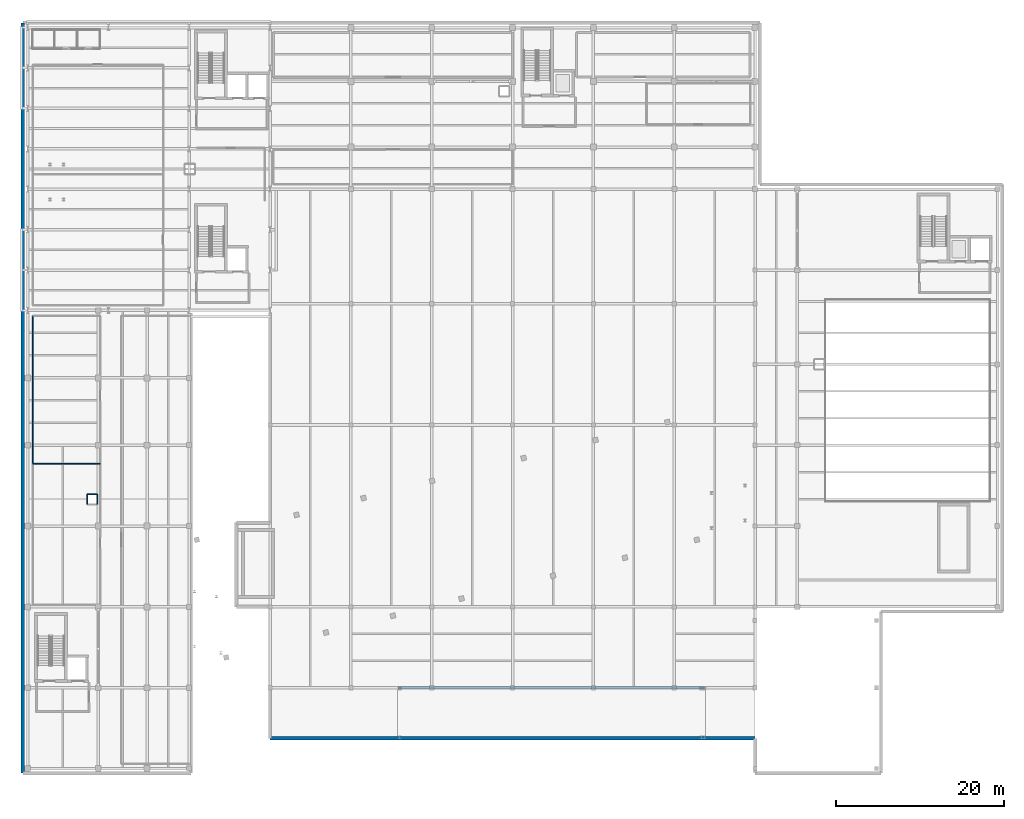
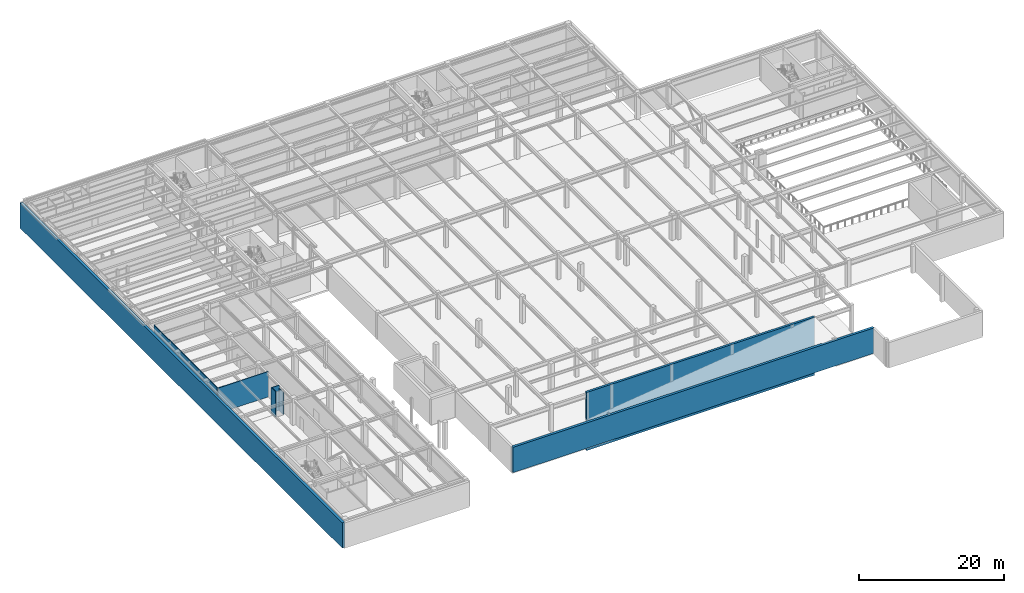
# One storey, part 19 of 32: 8 walls.
"""IFC4 building model written with IfcOpenShell, lengths in metres."""

from ifc_helpers import new_model, si_unit, direction, frame, frame_2d, origin, place, context, subcontext, project, spatial, rectangle, extrude, material, layer, layer_set, type_object, element, save


model = new_model("IFC4")

# Units and contexts
model_context = context("Model", 3, precision=1e-05, world=origin(), true_north=direction((0.0, 1.0)))
body_context = subcontext(model_context, "Body", "Model", "MODEL_VIEW")
ifc_project = project(units=[si_unit("LENGTHUNIT", "METRE"), si_unit("AREAUNIT", "SQUARE_METRE"), si_unit("VOLUMEUNIT", "CUBIC_METRE"), si_unit("PLANEANGLEUNIT", "RADIAN"), si_unit("MASSUNIT", "GRAM", prefix="KILO")], contexts=[model_context])

# Site, building, storey
site_placement = place(None, origin())
site = spatial("IfcSite", under=ifc_project, at=site_placement, CompositionType="ELEMENT")
building_placement = place(site_placement, origin())
building = spatial("IfcBuilding", under=site, at=building_placement, Name="Nordkorset Police Headquarters", CompositionType="ELEMENT")
storey_placement = place(building_placement, frame((0.0, 0.0, -4.550048828125)))
storey = spatial("IfcBuildingStorey", under=building, at=storey_placement, Name="B01", CompositionType="ELEMENT", Elevation=-4.550048828125)

# Walls
ifc_material_1 = material(Name="Concrete C35/45", Category="concrete")
ifc_layer_1 = layer(ifc_material_1, 0.35009765625, Name="Concrete C35/45")
ifc_layer_set_1 = layer_set([ifc_layer_1], Name="Concrete C35/45")
wall_type_1 = type_object("IfcWallType", Name="Wall_CoreShear_350", PredefinedType="SHEAR", material=ifc_layer_set_1)
wall_1_placement = place(storey_placement, frame((44.0, 38.39990234375, -5.25), z_axis=(0.0, 0.0, 1.0), x_axis=(1.0, 0.0, 0.0)))
element("IfcWall", 1, at=wall_1_placement, inside=storey, type_object=wall_type_1, Name="Ramp Flank Shear Wall N", PredefinedType="SHEAR", context=body_context, shape_type="SweptSolid", body=[
    extrude(rectangle(XDim=36.39990234375, YDim=0.35009765625, at=frame_2d((18.199951171875, 0.0))), origin(), (0.0, 0.0, 1.0), 9.800048828125),
])
ifc_material_2 = material(Name="Gypsum board", Category="gypsum")
ifc_layer_2 = layer(ifc_material_2, 0.1201171875, Name="Gypsum board")
ifc_layer_set_2 = layer_set([ifc_layer_2], Name="Gypsum board")
wall_type_2 = type_object("IfcWallType", Name="Wall_Part_120", PredefinedType="PARTITIONING", material=ifc_layer_set_2)
wall_2_placement = place(storey_placement, frame((8.639892578125, 65.0, 0.0), z_axis=(0.0, 0.0, 1.0), x_axis=(-1.0, 0.0, 0.0)))
element("IfcWall", 2, at=wall_2_placement, inside=storey, type_object=wall_type_2, Name="Interior Partition Wall Forensic Bulk Evidence Reception Lab", PredefinedType="PARTITIONING", context=body_context, shape_type="SweptSolid", body=[
    extrude(rectangle(XDim=8.039794921875, YDim=0.1201171875, at=frame_2d((4.02001953125, 0.0))), origin(), (0.0, 0.0, 1.0), 4.280029296875),
])
wall_3_placement = place(storey_placement, frame((0.60009765625, 82.60009765625, 0.0), z_axis=(0.0, 0.0, 1.0), x_axis=(0.0, -1.0, 0.0)))
element("IfcWall", 3, at=wall_3_placement, inside=storey, type_object=wall_type_2, Name="Interior Partition Wall Forensic Garment Drying Room", PredefinedType="PARTITIONING", context=body_context, shape_type="SweptSolid", body=[
    extrude(rectangle(XDim=17.545166015625, YDim=0.1201171875, at=frame_2d((8.7724609375, 0.0))), origin(), (0.0, 0.0, 1.0), 4.280029296875),
])
ifc_material_3 = material(Name="Concrete C40/50", Category="concrete")
ifc_layer_3 = layer(ifc_material_3, 0.39990234375, Name="Concrete C40/50")
ifc_layer_set_3 = layer_set([ifc_layer_3], Name="Concrete C40/50")
wall_type_3 = type_object("IfcWallType", Name="Wall_Retaining_400", PredefinedType="USERDEFINED", material=ifc_layer_set_3)
wall_4_placement = place(storey_placement, frame((-0.550048828125, 28.25, 0.0), z_axis=(0.0, 0.0, 1.0), x_axis=(0.0, 1.0, 0.0)))
element("IfcWall", 4, at=wall_4_placement, inside=storey, type_object=wall_type_3, Name="Basement Perimeter Retaining Wall B01 W-W1", ObjectType="RETAINING WALL", PredefinedType="USERDEFINED", context=body_context, shape_type="SweptSolid", body=[
    extrude(rectangle(XDim=89.10009765625, YDim=0.39990234375, at=frame_2d((44.550048828125, 0.0))), origin(), (0.0, 0.0, 1.0), 4.280029296875),
])
wall_5_placement = place(storey_placement, frame((28.800048828125, 32.39990234375, 0.0), z_axis=(0.0, 0.0, 1.0), x_axis=(1.0, 0.0, 0.0)))
element("IfcWall", 5, at=wall_5_placement, inside=storey, type_object=wall_type_3, Name="Basement Perimeter Retaining Wall B01 W-S3", ObjectType="RETAINING WALL", PredefinedType="USERDEFINED", context=body_context, shape_type="SweptSolid", body=[
    extrude(rectangle(XDim=57.599853515625, YDim=0.39990234375, at=frame_2d((28.7998046875, 0.0))), origin(), (0.0, 0.0, 1.0), 4.280029296875),
])
ifc_material_4 = material(Name="Gypsum board", Category="gypsum")
ifc_layer_4 = layer(ifc_material_4, 0.125, Name="Gypsum board")
ifc_layer_set_4 = layer_set([ifc_layer_4], Name="Gypsum board")
wall_type_4 = type_object("IfcWallType", Name="Wall_Riser_125", PredefinedType="PARTITIONING", material=ifc_layer_set_4)
wall_6_placement = place(storey_placement, frame((8.300048828125, 60.199951171875, 0.0), z_axis=(0.0, 0.0, 1.0), x_axis=(0.0, 1.0, 0.0)))
element("IfcWall", 6, at=wall_6_placement, inside=storey, type_object=wall_type_4, Name="Service Riser Enclosure RSR-V3 B01", PredefinedType="PARTITIONING", context=body_context, shape_type="SweptSolid", body=[
    extrude(rectangle(XDim=1.199951171875, YDim=0.125, at=frame_2d((0.60009765625, 0.0))), origin(), (0.0, 0.0, 1.0), 3.820068359375),
])
for number, where, z_axis, x_axis, name in (
    (7, (8.300048828125, 61.39990234375, 0.0), (0.0, 0.0, 1.0), (-1.0, 0.0, 0.0), "Service Riser Enclosure RSR-V3 B01"),
    (8, (7.10009765625, 61.39990234375, 0.0), (0.0, 0.0, 1.0), (0.0, -1.0, 0.0), "Service Riser Enclosure RSR-V3 B01"),
):
    element("IfcWall", number, at=place(storey_placement, frame(where, z_axis=z_axis, x_axis=x_axis)), inside=storey, type_object=wall_type_4, Name=name, PredefinedType="PARTITIONING", context=body_context, shape_type="SweptSolid", body=[
        extrude(rectangle(XDim=1.199951171875, YDim=0.125, at=frame_2d((0.60009765625, 0.0))), origin(), (0.0, 0.0, 1.0), 4.280029296875),
    ])

save(model, "model.ifc")
